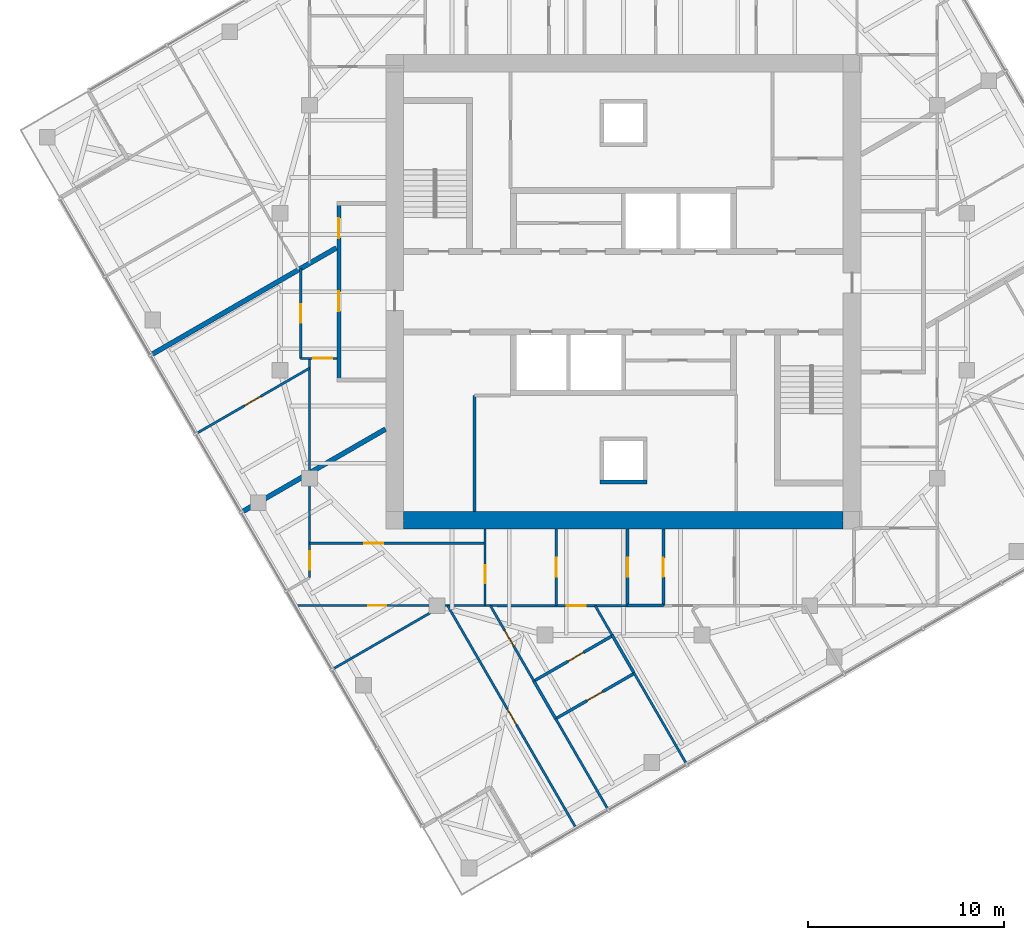
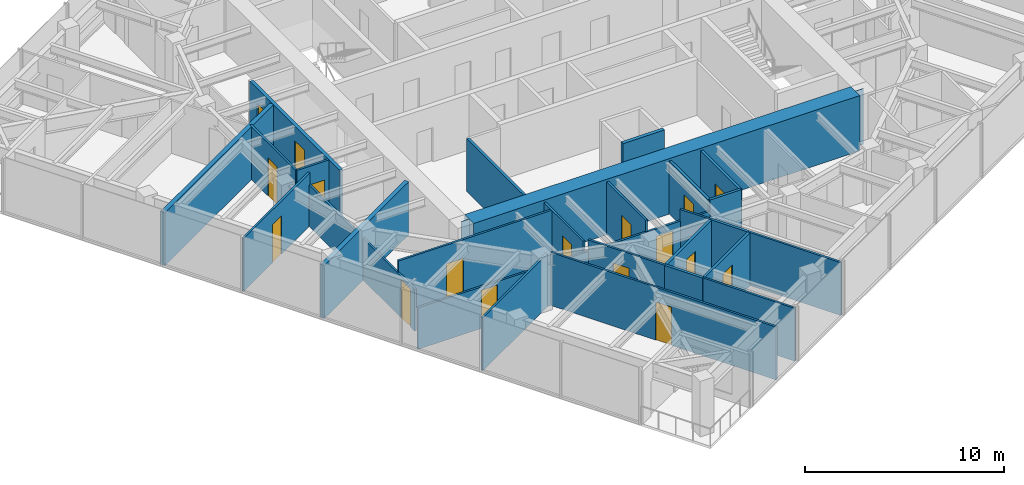
# One storey, part 7 of 13: 27 walls, 17 doors, 17 openings.
"""IFC4 building model written with IfcOpenShell, lengths in metres."""

from ifc_helpers import new_model, si_unit, direction, frame, frame_2d, origin, place, context, subcontext, project, spatial, polyline, rectangle, outline, extrude, material, layer, layer_set, type_object, element, fill, save


model = new_model("IFC4")

# Units and contexts
model_context = context("Model", 3, precision=1e-05, world=origin(), true_north=direction((0.0, 1.0)))
body_context = subcontext(model_context, "Body", "Model", "MODEL_VIEW")
ifc_project = project(units=[si_unit("LENGTHUNIT", "METRE"), si_unit("AREAUNIT", "SQUARE_METRE"), si_unit("VOLUMEUNIT", "CUBIC_METRE"), si_unit("PLANEANGLEUNIT", "RADIAN"), si_unit("MASSUNIT", "GRAM", prefix="KILO")], contexts=[model_context])

# Site, building, storey
site_placement = place(None, origin())
site = spatial("IfcSite", under=ifc_project, at=site_placement, CompositionType="ELEMENT")
building_placement = place(site_placement, origin())
building = spatial("IfcBuilding", under=site, at=building_placement, Name="Torsade Residences", CompositionType="ELEMENT")
storey_placement = place(building_placement, frame((0.0, 0.0, 225.199951171875)))
storey = spatial("IfcBuildingStorey", under=building, at=storey_placement, Name="L62", CompositionType="ELEMENT", Elevation=225.199951171875)

# Wall
ifc_material_1 = material(Name="Concrete 80 MPa", Category="concrete")
ifc_layer_1 = layer(ifc_material_1, 0.89990234375)
ifc_layer_set_1 = layer_set([ifc_layer_1], Name="Concrete 80 MPa")
wall_type_1 = type_object("IfcWallType", Name="CORE WALL 900", PredefinedType="SHEAR", material=ifc_layer_set_1)
wall_1_placement = place(storey_placement, frame((51.199951171875, 18.35009765625, 0.0), z_axis=(0.0, 0.0, 1.0), x_axis=(-1.0, 0.0, 0.0)))
element("IfcWall", 1, at=wall_1_placement, inside=storey, type_object=wall_type_1, Name="Core wall S L62", PredefinedType="SHEAR", context=body_context, shape_type="SweptSolid", body=[
    extrude(outline(polyline([(0.0, -0.449951171875), (22.39990234375, -0.449951171875), (22.39990234375, -0.02490234375), (22.849853515625, -0.02490234375), (22.849853515625, 0.02490234375), (22.39990234375, 0.02490234375), (22.39990234375, 0.449951171875), (0.0, 0.449951171875), (0.0, 0.02490234375), (-0.449951171875, 0.02490234375), (-0.449951171875, -0.02490234375), (0.0, -0.02490234375), (0.0, -0.449951171875)])), origin(), (0.0, 0.0, 1.0), 3.400146484375),
])

# Wall, openings, doors
ifc_material_2 = material(Name="Plasterboard on steel stud", Category="steel")
ifc_layer_2 = layer(ifc_material_2, 0.199951171875)
ifc_layer_set_2 = layer_set([ifc_layer_2], Name="Plasterboard on steel stud")
wall_type_2 = type_object("IfcWallType", Name="CORRIDOR WALL 200", PredefinedType="PARTITIONING", material=ifc_layer_set_2)
wall_2_placement = place(storey_placement, frame((25.5, 25.5, 0.0), z_axis=(0.0, 0.0, 1.0), x_axis=(0.0, 1.0, 0.0)))
wall_2 = element("IfcWall", 2, at=wall_2_placement, inside=storey, type_object=wall_type_2, Name="Corridor wall L62", PredefinedType="PARTITIONING", context=body_context, shape_type="SweptSolid", body=[
    extrude(rectangle(XDim=9.0, YDim=0.199951171875, at=frame_2d((4.5, 0.0))), origin(), (0.0, 0.0, 1.0), 3.25),
])
opening_1_placement = place(wall_2_placement, frame((3.4921875, 0.0, 0.0)))
opening_1 = element("IfcOpeningElement", 3, at=opening_1_placement, cuts=wall_2, Name="Opening D01", PredefinedType="OPENING", context=body_context, shape_type="SweptSolid", body=[
    extrude(rectangle(XDim=1.02001953125, YDim=2.340087890625, at=frame_2d((0.510009765625, 1.169921875))), frame((0.0, 0.10986328125, 0.0), z_axis=(0.0, -1.0, 0.0), x_axis=(1.0, 0.0, 0.0)), (0.0, 0.0, 1.0), 0.219970703125),
])
opening_2_placement = place(wall_2_placement, frame((7.229248046875, 0.0, 0.0)))
opening_2 = element("IfcOpeningElement", 4, at=opening_2_placement, cuts=wall_2, Name="Opening D01", PredefinedType="OPENING", context=body_context, shape_type="SweptSolid", body=[
    extrude(rectangle(XDim=1.02001953125, YDim=2.340087890625, at=frame_2d((0.510009765625, 1.169921875))), frame((0.0, 0.10986328125, 0.0), z_axis=(0.0, -1.0, 0.0), x_axis=(1.0, 0.0, 0.0)), (0.0, 0.0, 1.0), 0.219970703125),
])
ifc_material_3 = material(Name="Solid-core timber fire door", Category="wood")
door_type_1 = type_object("IfcDoorType", Name="APARTMENT ENTRY DOOR 1020x2340", OperationType="NOTDEFINED", PredefinedType="DOOR", material=ifc_material_3)
door_1_placement = place(opening_1_placement, origin())
door_1 = element("IfcDoor", 5, at=door_1_placement, inside=storey, type_object=door_type_1, Name="Door Residential corridor to Kitchen and dining", OperationType="SINGLE_SWING_RIGHT", OverallHeight=2.340087890625, OverallWidth=1.02001953125, PredefinedType="DOOR", context=body_context, shape_type="SweptSolid", body=[
    extrude(rectangle(XDim=1.02001953125, YDim=2.340087890625, at=frame_2d((0.510009765625, 1.169921875))), frame((0.0, 0.02490234375, 0.0), z_axis=(0.0, -1.0, 0.0), x_axis=(1.0, 0.0, 0.0)), (0.0, 0.0, 1.0), 0.050048828125),
])
fill(opening_1, door_1)
door_2_placement = place(opening_2_placement, origin())
door_2 = element("IfcDoor", 6, at=door_2_placement, inside=storey, type_object=door_type_1, Name="Door Residential corridor to Kitchen and dining", OperationType="SINGLE_SWING_LEFT", OverallHeight=2.340087890625, OverallWidth=1.02001953125, PredefinedType="DOOR", context=body_context, shape_type="SweptSolid", body=[
    extrude(rectangle(XDim=1.02001953125, YDim=2.340087890625, at=frame_2d((0.510009765625, 1.169921875))), frame((0.0, 0.02490234375, 0.0), z_axis=(0.0, -1.0, 0.0), x_axis=(1.0, 0.0, 0.0)), (0.0, 0.0, 1.0), 0.050048828125),
])
fill(opening_2, door_2)

# Wall, opening, door
ifc_material_4 = material(Name="Plasterboard on steel stud", Category="steel")
ifc_layer_3 = layer(ifc_material_4, 0.1201171875)
ifc_layer_set_3 = layer_set([ifc_layer_3], Name="Plasterboard on steel stud")
wall_type_3 = type_object("IfcWallType", Name="PARTITION 120", PredefinedType="PARTITIONING", material=ifc_layer_set_3)
wall_3_placement = place(storey_placement, frame((25.39990234375, 26.598388671875, 0.0), z_axis=(0.0, 0.0, 1.0), x_axis=(-1.0, 0.0, 0.0)))
wall_3 = element("IfcWall", 7, at=wall_3_placement, inside=storey, type_object=wall_type_3, Name="Partition L62", PredefinedType="PARTITIONING", context=body_context, shape_type="SweptSolid", body=[
    extrude(rectangle(XDim=1.849853515625, YDim=0.1201171875, at=frame_2d((0.9248046875, 0.0))), origin(), (0.0, 0.0, 1.0), 3.25),
])
opening_3_placement = place(wall_3_placement, frame((0.2451171875, 0.0, 0.0)))
opening_3 = element("IfcOpeningElement", 8, at=opening_3_placement, cuts=wall_3, Name="Opening D05", PredefinedType="OPENING", context=body_context, shape_type="SweptSolid", body=[
    extrude(rectangle(XDim=0.9599609375, YDim=2.10009765625, at=frame_2d((0.47998046875, 1.050048828125))), frame((0.0, 0.070068359375, 0.0), z_axis=(0.0, -1.0, 0.0), x_axis=(1.0, 0.0, 0.0)), (0.0, 0.0, 1.0), 0.14013671875),
])
ifc_material_5 = material(Name="Hollow-core timber door in a steel cavity frame", Category="steel")
door_type_2 = type_object("IfcDoorType", Name="BATHROOM CAVITY SLIDING DOOR 960", OperationType="SLIDING_TO_LEFT", PredefinedType="DOOR", material=ifc_material_5)
door_3_placement = place(opening_3_placement, origin())
door_3 = element("IfcDoor", 9, at=door_3_placement, inside=storey, type_object=door_type_2, Name="Door Kitchen and dining to Bathroom", OperationType="SLIDING_TO_LEFT", OverallHeight=2.10009765625, OverallWidth=0.9599609375, PredefinedType="DOOR", context=body_context, shape_type="SweptSolid", body=[
    extrude(rectangle(XDim=0.9599609375, YDim=2.10009765625, at=frame_2d((0.47998046875, 1.050048828125))), frame((0.0, 0.02490234375, 0.0), z_axis=(0.0, -1.0, 0.0), x_axis=(1.0, 0.0, 0.0)), (0.0, 0.0, 1.0), 0.050048828125),
])
fill(opening_3, door_3)

wall_4_placement = place(storey_placement, frame((23.550048828125, 26.598388671875, 0.0), z_axis=(0.0, 0.0, 1.0), x_axis=(0.0, 1.0, 0.0)))
wall_4 = element("IfcWall", 10, at=wall_4_placement, inside=storey, type_object=wall_type_3, Name="Partition L62", PredefinedType="PARTITIONING", context=body_context, shape_type="SweptSolid", body=[
    extrude(rectangle(XDim=4.585205078125, YDim=0.1201171875, at=frame_2d((2.29248046875, 0.0))), origin(), (0.0, 0.0, 1.0), 3.25),
])
opening_4_placement = place(wall_4_placement, frame((1.83251953125, 0.0, 0.0)))
opening_4 = element("IfcOpeningElement", 11, at=opening_4_placement, cuts=wall_4, Name="Opening D02", PredefinedType="OPENING", context=body_context, shape_type="SweptSolid", body=[
    extrude(rectangle(XDim=0.919921875, YDim=2.340087890625, at=frame_2d((0.4599609375, 1.169921875))), frame((0.0, 0.070068359375, 0.0), z_axis=(0.0, -1.0, 0.0), x_axis=(1.0, 0.0, 0.0)), (0.0, 0.0, 1.0), 0.14013671875),
])
ifc_material_6 = material(Name="Hollow-core timber door", Category="wood")
door_type_3 = type_object("IfcDoorType", Name="INTERNAL DOOR 920x2340", OperationType="NOTDEFINED", PredefinedType="DOOR", material=ifc_material_6)
door_4_placement = place(opening_4_placement, origin())
door_4 = element("IfcDoor", 12, at=door_4_placement, inside=storey, type_object=door_type_3, Name="Door Kitchen and dining to Living room", OperationType="SINGLE_SWING_RIGHT", OverallHeight=2.340087890625, OverallWidth=0.919921875, PredefinedType="DOOR", context=body_context, shape_type="SweptSolid", body=[
    extrude(rectangle(XDim=0.919921875, YDim=2.340087890625, at=frame_2d((0.4599609375, 1.169921875))), frame((0.0, 0.02490234375, 0.0), z_axis=(0.0, -1.0, 0.0), x_axis=(1.0, 0.0, 0.0)), (0.0, 0.0, 1.0), 0.050048828125),
])
fill(opening_4, door_4)

wall_5_placement = place(storey_placement, frame((24.0, 15.421875, 0.0), z_axis=(0.0, 0.0, 1.0), x_axis=(0.0, 1.0, 0.0)))
wall_5 = element("IfcWall", 13, at=wall_5_placement, inside=storey, type_object=wall_type_3, Name="Partition L62", PredefinedType="PARTITIONING", context=body_context, shape_type="SweptSolid", body=[
    extrude(rectangle(XDim=11.176513671875, YDim=0.1201171875, at=frame_2d((5.58837890625, 0.0))), origin(), (0.0, 0.0, 1.0), 2.550048828125),
])
opening_5_placement = place(wall_5_placement, frame((0.42041015625, 0.0, 0.0)))
opening_5 = element("IfcOpeningElement", 14, at=opening_5_placement, cuts=wall_5, Name="Opening D02", PredefinedType="OPENING", context=body_context, shape_type="SweptSolid", body=[
    extrude(rectangle(XDim=0.919921875, YDim=2.340087890625, at=frame_2d((0.4599609375, 1.169921875))), frame((0.0, 0.070068359375, 0.0), z_axis=(0.0, -1.0, 0.0), x_axis=(1.0, 0.0, 0.0)), (0.0, 0.0, 1.0), 0.14013671875),
])
door_5_placement = place(opening_5_placement, origin())
door_5 = element("IfcDoor", 15, at=door_5_placement, inside=storey, type_object=door_type_3, Name="Door Dressing room to Study 3", OperationType="SINGLE_SWING_LEFT", OverallHeight=2.340087890625, OverallWidth=0.919921875, PredefinedType="DOOR", context=body_context, shape_type="SweptSolid", body=[
    extrude(rectangle(XDim=0.919921875, YDim=2.340087890625, at=frame_2d((0.4599609375, 1.169921875))), frame((0.0, 0.02490234375, 0.0), z_axis=(0.0, -1.0, 0.0), x_axis=(1.0, 0.0, 0.0)), (0.0, 0.0, 1.0), 0.050048828125),
])
fill(opening_5, door_5)

wall_6_placement = place(storey_placement, frame((24.0, 26.102783203125, 0.0), z_axis=(0.0, 0.0, 1.0), x_axis=(-0.866033470286, -0.49998602815, 0.0)))
wall_6 = element("IfcWall", 16, at=wall_6_placement, inside=storey, type_object=wall_type_3, Name="Partition L62", PredefinedType="PARTITIONING", context=body_context, shape_type="SweptSolid", body=[
    extrude(rectangle(XDim=6.655029296875, YDim=0.1201171875, at=frame_2d((3.32763671875, 0.0))), origin(), (0.0, 0.0, 1.0), 3.25),
])
opening_6_placement = place(wall_6_placement, frame((2.887451171875, 0.0, 0.0)))
opening_6 = element("IfcOpeningElement", 17, at=opening_6_placement, cuts=wall_6, Name="Opening D02", PredefinedType="OPENING", context=body_context, shape_type="SweptSolid", body=[
    extrude(rectangle(XDim=0.919921875, YDim=2.340087890625, at=frame_2d((0.4599609375, 1.169921875))), frame((0.0, 0.070068359375, 0.0), z_axis=(0.0, -1.0, 0.0), x_axis=(1.0, 0.0, 0.0)), (0.0, 0.0, 1.0), 0.14013671875),
])
door_6_placement = place(opening_6_placement, origin())
door_6 = element("IfcDoor", 18, at=door_6_placement, inside=storey, type_object=door_type_3, Name="Door Living room to Bedroom 1", OperationType="SINGLE_SWING_LEFT", OverallHeight=2.340087890625, OverallWidth=0.919921875, PredefinedType="DOOR", context=body_context, shape_type="SweptSolid", body=[
    extrude(rectangle(XDim=0.919921875, YDim=2.340087890625, at=frame_2d((0.4599609375, 1.169921875))), frame((0.0, 0.02490234375, 0.0), z_axis=(0.0, -1.0, 0.0), x_axis=(1.0, 0.0, 0.0)), (0.0, 0.0, 1.0), 0.050048828125),
])
fill(opening_6, door_6)

wall_7_placement = place(storey_placement, frame((32.944091796875, 17.1826171875, 0.0), z_axis=(0.0, 0.0, 1.0), x_axis=(-1.0, 0.0, 0.0)))
wall_7 = element("IfcWall", 19, at=wall_7_placement, inside=storey, type_object=wall_type_3, Name="Partition L62", PredefinedType="PARTITIONING", context=body_context, shape_type="SweptSolid", body=[
    extrude(rectangle(XDim=8.944091796875, YDim=0.1201171875, at=frame_2d((4.47216796875, 0.0))), origin(), (0.0, 0.0, 1.0), 3.25),
])
opening_7_placement = place(wall_7_placement, frame((5.192138671875, 0.0, 0.0)))
opening_7 = element("IfcOpeningElement", 20, at=opening_7_placement, cuts=wall_7, Name="Opening D05", PredefinedType="OPENING", context=body_context, shape_type="SweptSolid", body=[
    extrude(rectangle(XDim=0.9599609375, YDim=2.10009765625, at=frame_2d((0.47998046875, 1.050048828125))), frame((0.0, 0.070068359375, 0.0), z_axis=(0.0, -1.0, 0.0), x_axis=(1.0, 0.0, 0.0)), (0.0, 0.0, 1.0), 0.14013671875),
])
door_7_placement = place(opening_7_placement, origin())
door_7 = element("IfcDoor", 21, at=door_7_placement, inside=storey, type_object=door_type_2, Name="Door Dressing room to Bathroom", OperationType="SLIDING_TO_LEFT", OverallHeight=2.10009765625, OverallWidth=0.9599609375, PredefinedType="DOOR", context=body_context, shape_type="SweptSolid", body=[
    extrude(rectangle(XDim=0.9599609375, YDim=2.10009765625, at=frame_2d((0.47998046875, 1.050048828125))), frame((0.0, 0.02490234375, 0.0), z_axis=(0.0, -1.0, 0.0), x_axis=(1.0, 0.0, 0.0)), (0.0, 0.0, 1.0), 0.050048828125),
])
fill(opening_7, door_7)

wall_8_placement = place(storey_placement, frame((32.944091796875, 17.89990234375, 0.0), z_axis=(0.0, 0.0, 1.0), x_axis=(0.0, -1.0, 0.0)))
wall_8 = element("IfcWall", 22, at=wall_8_placement, inside=storey, type_object=wall_type_3, Name="Partition L62", PredefinedType="PARTITIONING", context=body_context, shape_type="SweptSolid", body=[
    extrude(rectangle(XDim=3.89990234375, YDim=0.1201171875, at=frame_2d((1.949951171875, 0.0))), origin(), (0.0, 0.0, 1.0), 3.25),
])
opening_8_placement = place(wall_8_placement, frame((1.8486328125, 0.0, 0.0)))
opening_8 = element("IfcOpeningElement", 23, at=opening_8_placement, cuts=wall_8, Name="Opening D02", PredefinedType="OPENING", context=body_context, shape_type="SweptSolid", body=[
    extrude(rectangle(XDim=0.919921875, YDim=2.340087890625, at=frame_2d((0.4599609375, 1.169921875))), frame((0.0, 0.070068359375, 0.0), z_axis=(0.0, -1.0, 0.0), x_axis=(1.0, 0.0, 0.0)), (0.0, 0.0, 1.0), 0.14013671875),
])
door_8_placement = place(opening_8_placement, origin())
door_8 = element("IfcDoor", 24, at=door_8_placement, inside=storey, type_object=door_type_3, Name="Door Dressing room 2 to Dressing room", OperationType="SINGLE_SWING_RIGHT", OverallHeight=2.340087890625, OverallWidth=0.919921875, PredefinedType="DOOR", context=body_context, shape_type="SweptSolid", body=[
    extrude(rectangle(XDim=0.919921875, YDim=2.340087890625, at=frame_2d((0.4599609375, 1.169921875))), frame((0.0, 0.02490234375, 0.0), z_axis=(0.0, -1.0, 0.0), x_axis=(1.0, 0.0, 0.0)), (0.0, 0.0, 1.0), 0.050048828125),
])
fill(opening_8, door_8)

# Wall, openings, doors
wall_9_placement = place(storey_placement, frame((40.217041015625, 14.0, 0.0), z_axis=(0.0, 0.0, 1.0), x_axis=(-0.999999825002, 0.000591604877, 0.0)))
wall_9 = element("IfcWall", 25, at=wall_9_placement, inside=storey, type_object=wall_type_3, Name="Partition L62", PredefinedType="PARTITIONING", context=body_context, shape_type="SweptSolid", body=[
    extrude(rectangle(XDim=16.919677734375, YDim=0.1201171875, at=frame_2d((8.4599609375, 0.0))), origin(), (0.0, 0.0, 1.0), 2.550048828125),
])
opening_9_placement = place(wall_9_placement, frame((2.1396484375, 0.0, 0.0)))
opening_9 = element("IfcOpeningElement", 26, at=opening_9_placement, cuts=wall_9, Name="Opening D05", PredefinedType="OPENING", context=body_context, shape_type="SweptSolid", body=[
    extrude(rectangle(XDim=0.9599609375, YDim=2.10009765625, at=frame_2d((0.47998046875, 1.050048828125))), frame((0.0, 0.070068359375, 0.0), z_axis=(0.0, -1.0, 0.0), x_axis=(1.0, 0.0, 0.0)), (0.0, 0.0, 1.0), 0.14013671875),
])
opening_10_placement = place(wall_9_placement, frame((12.3134765625, 0.0, 0.0)))
opening_10 = element("IfcOpeningElement", 27, at=opening_10_placement, cuts=wall_9, Name="Opening D02", PredefinedType="OPENING", context=body_context, shape_type="SweptSolid", body=[
    extrude(rectangle(XDim=0.919921875, YDim=2.340087890625, at=frame_2d((0.4599609375, 1.169921875))), frame((0.0, 0.070068359375, 0.0), z_axis=(0.0, -1.0, 0.0), x_axis=(1.0, 0.0, 0.0)), (0.0, 0.0, 1.0), 0.14013671875),
])
door_9_placement = place(opening_9_placement, origin())
door_9 = element("IfcDoor", 28, at=door_9_placement, inside=storey, type_object=door_type_2, Name="Door Ensuite to Walk-in robe 2", OperationType="SLIDING_TO_LEFT", OverallHeight=2.10009765625, OverallWidth=0.9599609375, PredefinedType="DOOR", context=body_context, shape_type="SweptSolid", body=[
    extrude(rectangle(XDim=0.9599609375, YDim=2.10009765625, at=frame_2d((0.47998046875, 1.050048828125))), frame((0.0, 0.02490234375, 0.0), z_axis=(0.0, -1.0, 0.0), x_axis=(1.0, 0.0, 0.0)), (0.0, 0.0, 1.0), 0.050048828125),
])
fill(opening_9, door_9)
door_10_placement = place(opening_10_placement, origin())
door_10 = element("IfcDoor", 29, at=door_10_placement, inside=storey, type_object=door_type_3, Name="Door Dressing room to Dining room 2", OperationType="SINGLE_SWING_LEFT", OverallHeight=2.340087890625, OverallWidth=0.919921875, PredefinedType="DOOR", context=body_context, shape_type="SweptSolid", body=[
    extrude(rectangle(XDim=0.919921875, YDim=2.340087890625, at=frame_2d((0.4599609375, 1.169921875))), frame((0.0, 0.02490234375, 0.0), z_axis=(0.0, -1.0, 0.0), x_axis=(1.0, 0.0, 0.0)), (0.0, 0.0, 1.0), 0.050048828125),
])
fill(opening_10, door_10)

# Wall, opening, door
wall_10_placement = place(storey_placement, frame((36.58056640625, 14.0, 0.0), z_axis=(0.0, 0.0, 1.0), x_axis=(0.0, 1.0, 0.0)))
wall_10 = element("IfcWall", 30, at=wall_10_placement, inside=storey, type_object=wall_type_3, Name="Partition L62", PredefinedType="PARTITIONING", context=body_context, shape_type="SweptSolid", body=[
    extrude(rectangle(XDim=3.89990234375, YDim=0.1201171875, at=frame_2d((1.949951171875, 0.0))), origin(), (0.0, 0.0, 1.0), 3.25),
])
opening_11_placement = place(wall_10_placement, frame((1.469970703125, 0.0, 0.0)))
opening_11 = element("IfcOpeningElement", 31, at=opening_11_placement, cuts=wall_10, Name="Opening D05", PredefinedType="OPENING", context=body_context, shape_type="SweptSolid", body=[
    extrude(rectangle(XDim=0.9599609375, YDim=2.10009765625, at=frame_2d((0.47998046875, 1.050048828125))), frame((0.0, 0.070068359375, 0.0), z_axis=(0.0, -1.0, 0.0), x_axis=(1.0, 0.0, 0.0)), (0.0, 0.0, 1.0), 0.14013671875),
])
door_11_placement = place(opening_11_placement, origin())
door_11 = element("IfcDoor", 32, at=door_11_placement, inside=storey, type_object=door_type_2, Name="Door Ensuite to Dressing room 2", OperationType="SLIDING_TO_LEFT", OverallHeight=2.10009765625, OverallWidth=0.9599609375, PredefinedType="DOOR", context=body_context, shape_type="SweptSolid", body=[
    extrude(rectangle(XDim=0.9599609375, YDim=2.10009765625, at=frame_2d((0.47998046875, 1.050048828125))), frame((0.0, 0.02490234375, 0.0), z_axis=(0.0, -1.0, 0.0), x_axis=(1.0, 0.0, 0.0)), (0.0, 0.0, 1.0), 0.050048828125),
])
fill(opening_11, door_11)

wall_11_placement = place(storey_placement, frame((31.03857421875, 14.0, 0.0), z_axis=(0.0, 0.0, 1.0), x_axis=(0.500006184843, -0.866021832934, 0.0)))
wall_11 = element("IfcWall", 33, at=wall_11_placement, inside=storey, type_object=wall_type_3, Name="Partition L62", PredefinedType="PARTITIONING", context=body_context, shape_type="SweptSolid", body=[
    extrude(rectangle(XDim=13.084228515625, YDim=0.1201171875, at=frame_2d((6.5419921875, 0.0))), origin(), (0.0, 0.0, 1.0), 3.25),
])
opening_12_placement = place(wall_11_placement, frame((6.10205078125, 0.0, 0.0)))
opening_12 = element("IfcOpeningElement", 34, at=opening_12_placement, cuts=wall_11, Name="Opening D02", PredefinedType="OPENING", context=body_context, shape_type="SweptSolid", body=[
    extrude(rectangle(XDim=0.919921875, YDim=2.340087890625, at=frame_2d((0.4599609375, 1.169921875))), frame((0.0, 0.070068359375, 0.0), z_axis=(0.0, -1.0, 0.0), x_axis=(1.0, 0.0, 0.0)), (0.0, 0.0, 1.0), 0.14013671875),
])
door_12_placement = place(opening_12_placement, origin())
door_12 = element("IfcDoor", 35, at=door_12_placement, inside=storey, type_object=door_type_3, Name="Door Walk-in robe 3 to Living room", OperationType="SINGLE_SWING_RIGHT", OverallHeight=2.340087890625, OverallWidth=0.919921875, PredefinedType="DOOR", context=body_context, shape_type="SweptSolid", body=[
    extrude(rectangle(XDim=0.919921875, YDim=2.340087890625, at=frame_2d((0.4599609375, 1.169921875))), frame((0.0, 0.02490234375, 0.0), z_axis=(0.0, -1.0, 0.0), x_axis=(1.0, 0.0, 0.0)), (0.0, 0.0, 1.0), 0.050048828125),
])
fill(opening_12, door_12)

# Walls
wall_12_placement = place(storey_placement, frame((25.174072265625, 10.75927734375, 0.0), z_axis=(0.0, 0.0, 1.0), x_axis=(0.866023120914, 0.500003954026, 0.0)))
element("IfcWall", 36, at=wall_12_placement, inside=storey, type_object=wall_type_3, Name="Partition L62", PredefinedType="PARTITIONING", context=body_context, shape_type="SweptSolid", body=[
    extrude(rectangle(XDim=6.4814453125, YDim=0.1201171875, at=frame_2d((3.24072265625, 0.0))), origin(), (0.0, 0.0, 1.0), 3.25),
])
wall_13_placement = place(storey_placement, frame((43.21923828125, 5.924072265625, 0.0), z_axis=(0.0, 0.0, 1.0), x_axis=(-0.500003544594, 0.866023357302, 0.0)))
element("IfcWall", 37, at=wall_13_placement, inside=storey, type_object=wall_type_3, Name="Partition L62", PredefinedType="PARTITIONING", context=body_context, shape_type="SweptSolid", body=[
    extrude(rectangle(XDim=5.38818359375, YDim=0.1201171875, at=frame_2d((2.694091796875, 0.0))), origin(), (0.0, 0.0, 1.0), 3.25),
])
wall_14_placement = place(storey_placement, frame((39.415771484375, 12.511962890625, 0.0), z_axis=(0.0, 0.0, 1.0), x_axis=(-0.500005339912, 0.866022320763, 0.0)))
element("IfcWall", 38, at=wall_14_placement, inside=storey, type_object=wall_type_3, Name="Partition L62", PredefinedType="PARTITIONING", context=body_context, shape_type="SweptSolid", body=[
    extrude(rectangle(XDim=1.71826171875, YDim=0.1201171875, at=frame_2d((0.859130859375, 0.0))), origin(), (0.0, 0.0, 1.0), 3.25),
])
wall_15_placement = place(storey_placement, frame((39.2138671875, 3.611572265625, 0.0), z_axis=(0.0, 0.0, 1.0), x_axis=(-0.499995631649, 0.866027925839, 0.0)))
element("IfcWall", 39, at=wall_15_placement, inside=storey, type_object=wall_type_3, Name="Partition L62", PredefinedType="PARTITIONING", context=body_context, shape_type="SweptSolid", body=[
    extrude(rectangle(XDim=5.337890625, YDim=0.1201171875, at=frame_2d((2.6689453125, 0.0))), origin(), (0.0, 0.0, 1.0), 3.25),
])

# Wall, opening, door
wall_16_placement = place(storey_placement, frame((35.435302734375, 10.15625, 0.0), z_axis=(0.0, 0.0, 1.0), x_axis=(-0.499966886051, 0.866044521288, 0.0)))
wall_16 = element("IfcWall", 40, at=wall_16_placement, inside=storey, type_object=wall_type_3, Name="Partition L62", PredefinedType="PARTITIONING", context=body_context, shape_type="SweptSolid", body=[
    extrude(rectangle(XDim=4.438232421875, YDim=0.1201171875, at=frame_2d((2.21923828125, 0.0))), origin(), (0.0, 0.0, 1.0), 3.25),
])
opening_13_placement = place(wall_16_placement, frame((2.05908203125, 0.0, 0.0)))
opening_13 = element("IfcOpeningElement", 41, at=opening_13_placement, cuts=wall_16, Name="Opening D02", PredefinedType="OPENING", context=body_context, shape_type="SweptSolid", body=[
    extrude(rectangle(XDim=0.919921875, YDim=2.340087890625, at=frame_2d((0.4599609375, 1.169921875))), frame((0.0, 0.070068359375, 0.0), z_axis=(0.0, -1.0, 0.0), x_axis=(1.0, 0.0, 0.0)), (0.0, 0.0, 1.0), 0.14013671875),
])
door_13_placement = place(opening_13_placement, origin())
door_13 = element("IfcDoor", 42, at=door_13_placement, inside=storey, type_object=door_type_3, Name="Door Walk-in robe 2 to Walk-in robe 3", OperationType="SINGLE_SWING_RIGHT", OverallHeight=2.340087890625, OverallWidth=0.919921875, PredefinedType="DOOR", context=body_context, shape_type="SweptSolid", body=[
    extrude(rectangle(XDim=0.919921875, YDim=2.340087890625, at=frame_2d((0.4599609375, 1.169921875))), frame((0.0, 0.02490234375, 0.0), z_axis=(0.0, -1.0, 0.0), x_axis=(1.0, 0.0, 0.0)), (0.0, 0.0, 1.0), 0.050048828125),
])
fill(opening_13, door_13)

# Walls
ifc_material_7 = material(Name="Masonry-lined stud party wall", Category="masonry")
ifc_layer_4 = layer(ifc_material_7, 0.25)
ifc_layer_set_4 = layer_set([ifc_layer_4], Name="Masonry-lined stud party wall")
wall_type_4 = type_object("IfcWallType", Name="PARTY WALL 250", PredefinedType="PARTITIONING", material=ifc_layer_set_4)
wall_17_placement = place(storey_placement, frame((15.889404296875, 26.7607421875, 0.0), z_axis=(0.0, 0.0, 1.0), x_axis=(0.866024069551, 0.500002310952, 0.0)))
element("IfcWall", 43, at=wall_17_placement, inside=storey, type_object=wall_type_4, Name="Party wall L62", PredefinedType="PARTITIONING", context=body_context, shape_type="SweptSolid", body=[
    extrude(rectangle(XDim=10.94970703125, YDim=0.25, at=frame_2d((5.474853515625, 0.0))), origin(), (0.0, 0.0, 1.0), 3.25),
])
wall_18_placement = place(storey_placement, frame((20.514404296875, 18.75, 0.0), z_axis=(0.0, 0.0, 1.0), x_axis=(0.866020489494, 0.500008511703, 0.0)))
element("IfcWall", 44, at=wall_18_placement, inside=storey, type_object=wall_type_4, Name="Party wall L62", PredefinedType="PARTITIONING", context=body_context, shape_type="SweptSolid", body=[
    extrude(rectangle(XDim=8.495849609375, YDim=0.25, at=frame_2d((4.248046875, 0.0))), origin(), (0.0, 0.0, 1.0), 3.25),
])
ifc_material_8 = material(Name="Reinforced blockwork", Category="masonry")
ifc_layer_5 = layer(ifc_material_8, 0.199951171875)
ifc_layer_set_5 = layer_set([ifc_layer_5], Name="Reinforced blockwork")
wall_type_5 = type_object("IfcWallType", Name="RISER SHAFT WALL 200", PredefinedType="SOLIDWALL", material=ifc_layer_set_5)
wall_19_placement = place(storey_placement, frame((38.800048828125, 20.300048828125, 0.0), z_axis=(0.0, 0.0, 1.0), x_axis=(1.0, 0.0, 0.0)))
element("IfcWall", 45, at=wall_19_placement, inside=storey, type_object=wall_type_5, Name="Core wall RS2d L62", PredefinedType="SOLIDWALL", context=body_context, shape_type="SweptSolid", body=[
    extrude(rectangle(XDim=2.39990234375, YDim=0.199951171875, at=frame_2d((1.199951171875, 0.0))), origin(), (0.0, 0.0, 1.0), 3.400146484375),
])
ifc_material_9 = material(Name="Reinforced blockwork", Category="masonry")
ifc_layer_6 = layer(ifc_material_9, 0.14990234375)
ifc_layer_set_6 = layer_set([ifc_layer_6], Name="Reinforced blockwork")
wall_type_6 = type_object("IfcWallType", Name="SERVICE ROOM WALL 150", PredefinedType="SOLIDWALL", material=ifc_layer_set_6)
wall_20_placement = place(storey_placement, frame((32.39990234375, 18.800048828125, 0.0), z_axis=(0.0, 0.0, 1.0), x_axis=(0.0, 1.0, 0.0)))
element("IfcWall", 46, at=wall_20_placement, inside=storey, type_object=wall_type_6, Name="Service room wall L62", PredefinedType="SOLIDWALL", context=body_context, shape_type="SweptSolid", body=[
    extrude(rectangle(XDim=5.89990234375, YDim=0.14990234375, at=frame_2d((2.949951171875, 0.0))), origin(), (0.0, 0.0, 1.0), 3.25),
])

# Wall, opening, door
wall_21_placement = place(storey_placement, frame((40.217041015625, 17.89990234375, 0.0), z_axis=(0.0, 0.0, 1.0), x_axis=(0.0, -1.0, 0.0)))
wall_21 = element("IfcWall", 47, at=wall_21_placement, inside=storey, type_object=wall_type_6, Name="Service room wall L62", PredefinedType="SOLIDWALL", context=body_context, shape_type="SweptSolid", body=[
    extrude(rectangle(XDim=3.89990234375, YDim=0.14990234375, at=frame_2d((1.949951171875, 0.0))), origin(), (0.0, 0.0, 1.0), 3.25),
])
opening_14_placement = place(wall_21_placement, frame((1.469970703125, 0.0, 0.0)))
opening_14 = element("IfcOpeningElement", 48, at=opening_14_placement, cuts=wall_21, Name="Opening D05", PredefinedType="OPENING", context=body_context, shape_type="SweptSolid", body=[
    extrude(rectangle(XDim=0.9599609375, YDim=2.10009765625, at=frame_2d((0.47998046875, 1.050048828125))), frame((0.0, 0.0849609375, 0.0), z_axis=(0.0, -1.0, 0.0), x_axis=(1.0, 0.0, 0.0)), (0.0, 0.0, 1.0), 0.169921875),
])
door_14_placement = place(opening_14_placement, origin())
door_14 = element("IfcDoor", 49, at=door_14_placement, inside=storey, type_object=door_type_2, Name="Door Linen store 2 to Ensuite", OperationType="SLIDING_TO_LEFT", OverallHeight=2.10009765625, OverallWidth=0.9599609375, PredefinedType="DOOR", context=body_context, shape_type="SweptSolid", body=[
    extrude(rectangle(XDim=0.9599609375, YDim=2.10009765625, at=frame_2d((0.47998046875, 1.050048828125))), frame((0.0, 0.02490234375, 0.0), z_axis=(0.0, -1.0, 0.0), x_axis=(1.0, 0.0, 0.0)), (0.0, 0.0, 1.0), 0.050048828125),
])
fill(opening_14, door_14)

wall_22_placement = place(storey_placement, frame((42.031005859375, 14.0, 0.0), z_axis=(0.0, 0.0, 1.0), x_axis=(0.0, 1.0, 0.0)))
wall_22 = element("IfcWall", 50, at=wall_22_placement, inside=storey, type_object=wall_type_6, Name="Service room wall L62", PredefinedType="SOLIDWALL", context=body_context, shape_type="SweptSolid", body=[
    extrude(rectangle(XDim=3.89990234375, YDim=0.14990234375, at=frame_2d((1.949951171875, 0.0))), origin(), (0.0, 0.0, 1.0), 3.25),
])
opening_15_placement = place(wall_22_placement, frame((1.469970703125, 0.0, 0.0)))
opening_15 = element("IfcOpeningElement", 51, at=opening_15_placement, cuts=wall_22, Name="Opening D05", PredefinedType="OPENING", context=body_context, shape_type="SweptSolid", body=[
    extrude(rectangle(XDim=0.9599609375, YDim=2.10009765625, at=frame_2d((0.47998046875, 1.050048828125))), frame((0.0, 0.0849609375, 0.0), z_axis=(0.0, -1.0, 0.0), x_axis=(1.0, 0.0, 0.0)), (0.0, 0.0, 1.0), 0.169921875),
])
door_15_placement = place(opening_15_placement, origin())
door_15 = element("IfcDoor", 52, at=door_15_placement, inside=storey, type_object=door_type_2, Name="Door Laundry to Linen store 2", OperationType="SLIDING_TO_LEFT", OverallHeight=2.10009765625, OverallWidth=0.9599609375, PredefinedType="DOOR", context=body_context, shape_type="SweptSolid", body=[
    extrude(rectangle(XDim=0.9599609375, YDim=2.10009765625, at=frame_2d((0.47998046875, 1.050048828125))), frame((0.0, 0.02490234375, 0.0), z_axis=(0.0, -1.0, 0.0), x_axis=(1.0, 0.0, 0.0)), (0.0, 0.0, 1.0), 0.050048828125),
])
fill(opening_15, door_15)

# Walls
wall_23_placement = place(storey_placement, frame((40.217041015625, 14.0, 0.0), z_axis=(0.0, 0.0, 1.0), x_axis=(1.0, 0.0, 0.0)))
element("IfcWall", 53, at=wall_23_placement, inside=storey, type_object=wall_type_6, Name="Service room wall L62", PredefinedType="SOLIDWALL", context=body_context, shape_type="SweptSolid", body=[
    extrude(rectangle(XDim=1.81396484375, YDim=0.14990234375, at=frame_2d((0.906982421875, 0.0))), origin(), (0.0, 0.0, 1.0), 3.25),
])
wall_24_placement = place(storey_placement, frame((40.525146484375, 10.59033203125, 0.0), z_axis=(0.0, 0.0, 1.0), x_axis=(-0.499973265211, 0.866040838572, 0.0)))
element("IfcWall", 54, at=wall_24_placement, inside=storey, type_object=wall_type_6, Name="Service room wall L62", PredefinedType="SOLIDWALL", context=body_context, shape_type="SweptSolid", body=[
    extrude(rectangle(XDim=2.21875, YDim=0.14990234375, at=frame_2d((1.109375, 0.0))), origin(), (0.0, 0.0, 1.0), 3.25),
])

# Wall, opening, door
wall_25_placement = place(storey_placement, frame((36.544921875, 8.234375, 0.0), z_axis=(0.0, 0.0, 1.0), x_axis=(0.866025598446, 0.499999662836, 0.0)))
wall_25 = element("IfcWall", 55, at=wall_25_placement, inside=storey, type_object=wall_type_6, Name="Service room wall L62", PredefinedType="SOLIDWALL", context=body_context, shape_type="SweptSolid", body=[
    extrude(rectangle(XDim=4.625, YDim=0.14990234375, at=frame_2d((2.3125, 0.0))), origin(), (0.0, 0.0, 1.0), 3.25),
])
opening_16_placement = place(wall_25_placement, frame((1.8525390625, 0.0, 0.0)))
opening_16 = element("IfcOpeningElement", 56, at=opening_16_placement, cuts=wall_25, Name="Opening D02", PredefinedType="OPENING", context=body_context, shape_type="SweptSolid", body=[
    extrude(rectangle(XDim=0.919921875, YDim=2.340087890625, at=frame_2d((0.4599609375, 1.169921875))), frame((0.0, 0.0849609375, 0.0), z_axis=(0.0, -1.0, 0.0), x_axis=(1.0, 0.0, 0.0)), (0.0, 0.0, 1.0), 0.169921875),
])
door_16_placement = place(opening_16_placement, origin())
door_16 = element("IfcDoor", 57, at=door_16_placement, inside=storey, type_object=door_type_3, Name="Door Linen store 3 to Family room", OperationType="SINGLE_SWING_LEFT", OverallHeight=2.340087890625, OverallWidth=0.919921875, PredefinedType="DOOR", context=body_context, shape_type="SweptSolid", body=[
    extrude(rectangle(XDim=0.919921875, YDim=2.340087890625, at=frame_2d((0.4599609375, 1.169921875))), frame((0.0, 0.02490234375, 0.0), z_axis=(0.0, -1.0, 0.0), x_axis=(1.0, 0.0, 0.0)), (0.0, 0.0, 1.0), 0.050048828125),
])
fill(opening_16, door_16)

wall_26_placement = place(storey_placement, frame((39.440673828125, 12.46875, 0.0), z_axis=(0.0, 0.0, 1.0), x_axis=(-0.866025598446, -0.499999662836, 0.0)))
wall_26 = element("IfcWall", 58, at=wall_26_placement, inside=storey, type_object=wall_type_6, Name="Service room wall L62", PredefinedType="SOLIDWALL", context=body_context, shape_type="SweptSolid", body=[
    extrude(rectangle(XDim=4.625, YDim=0.14990234375, at=frame_2d((2.3125, 0.0))), origin(), (0.0, 0.0, 1.0), 3.25),
])
opening_17_placement = place(wall_26_placement, frame((1.702392578125, 0.0, 0.0)))
opening_17 = element("IfcOpeningElement", 59, at=opening_17_placement, cuts=wall_26, Name="Opening D02", PredefinedType="OPENING", context=body_context, shape_type="SweptSolid", body=[
    extrude(rectangle(XDim=0.919921875, YDim=2.340087890625, at=frame_2d((0.4599609375, 1.169921875))), frame((0.0, 0.0849609375, 0.0), z_axis=(0.0, -1.0, 0.0), x_axis=(1.0, 0.0, 0.0)), (0.0, 0.0, 1.0), 0.169921875),
])
door_17_placement = place(opening_17_placement, origin())
door_17 = element("IfcDoor", 60, at=door_17_placement, inside=storey, type_object=door_type_3, Name="Door Walk-in robe 2 to Linen store 3", OperationType="SINGLE_SWING_LEFT", OverallHeight=2.340087890625, OverallWidth=0.919921875, PredefinedType="DOOR", context=body_context, shape_type="SweptSolid", body=[
    extrude(rectangle(XDim=0.919921875, YDim=2.340087890625, at=frame_2d((0.4599609375, 1.169921875))), frame((0.0, 0.02490234375, 0.0), z_axis=(0.0, -1.0, 0.0), x_axis=(1.0, 0.0, 0.0)), (0.0, 0.0, 1.0), 0.050048828125),
])
fill(opening_17, door_17)

# Wall
wall_27_placement = place(storey_placement, frame((35.435302734375, 10.15625, 0.0), z_axis=(0.0, 0.0, 1.0), x_axis=(0.500008142102, -0.866020702889, 0.0)))
element("IfcWall", 61, at=wall_27_placement, inside=storey, type_object=wall_type_6, Name="Service room wall L62", PredefinedType="SOLIDWALL", context=body_context, shape_type="SweptSolid", body=[
    extrude(rectangle(XDim=2.21923828125, YDim=0.14990234375, at=frame_2d((1.109619140625, 0.0))), origin(), (0.0, 0.0, 1.0), 3.25),
])

save(model, "model.ifc")
